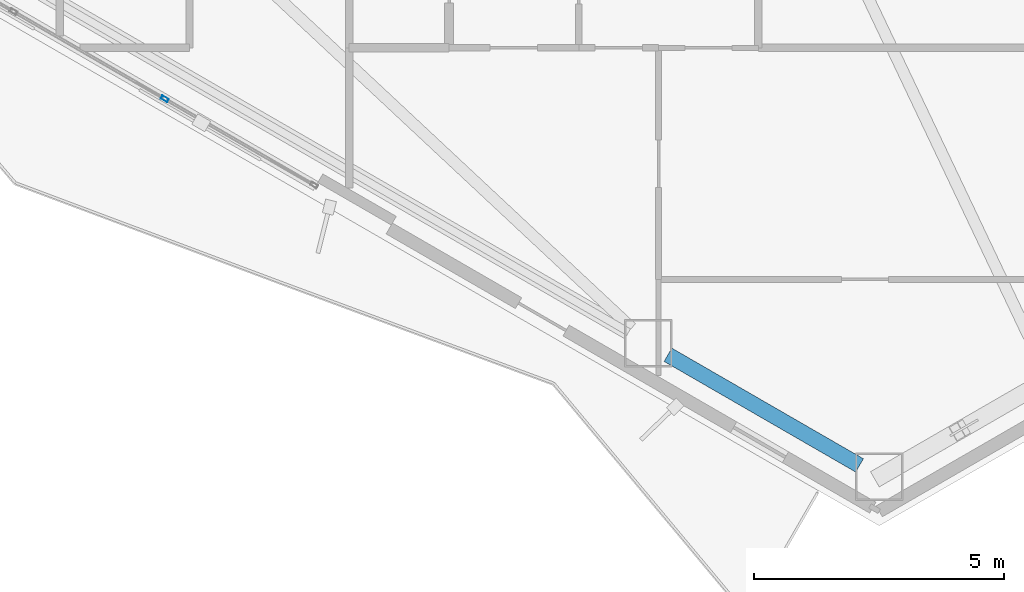
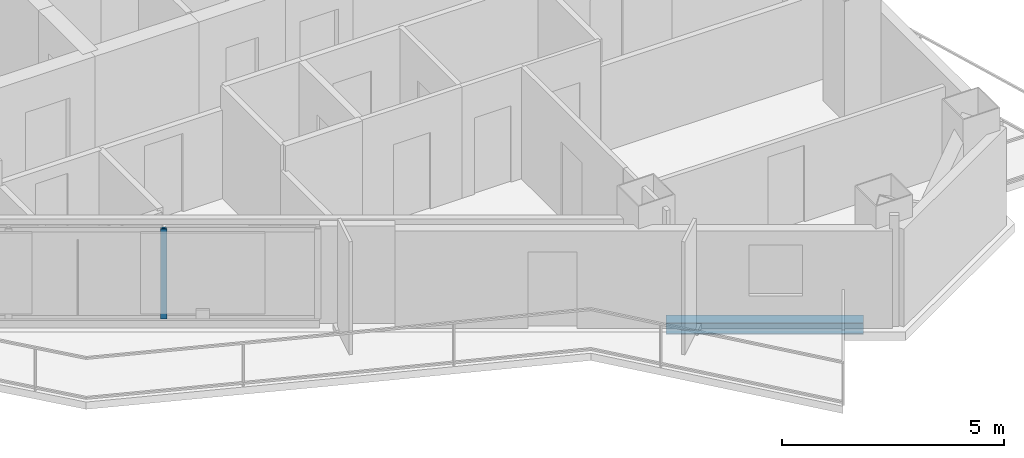
# One storey, part 3 of 18: 1 beam, 1 member, 1 element without a shape of its own.
"""IFC4 building model written with IfcOpenShell, lengths in metres."""

from ifc_helpers import new_model, si_unit, direction, frame, origin, origin_2d, place, context, subcontext, project, spatial, hollow_rectangle, i_section, extrude, material, layer, layer_set, material_profile, profile_set, type_object, element, aggregate, save


model = new_model("IFC4")

# Units and contexts
model_context = context("Model", 3, precision=1e-05, world=origin(), true_north=direction((0.0, 1.0)))
body_context = subcontext(model_context, "Body", "Model", "MODEL_VIEW")
ifc_project = project(units=[si_unit("LENGTHUNIT", "METRE"), si_unit("AREAUNIT", "SQUARE_METRE"), si_unit("VOLUMEUNIT", "CUBIC_METRE"), si_unit("PLANEANGLEUNIT", "RADIAN"), si_unit("MASSUNIT", "GRAM", prefix="KILO")], contexts=[model_context])

# Site, building, storey
site_placement = place(None, origin())
site = spatial("IfcSite", under=ifc_project, at=site_placement, CompositionType="ELEMENT")
building_placement = place(site_placement, origin())
building = spatial("IfcBuilding", under=site, at=building_placement, Name="Mersakhor Tower and Convention Hall", CompositionType="ELEMENT")
storey_placement = place(building_placement, frame((0.0, 0.0, 134.39990234375)))
storey = spatial("IfcBuildingStorey", under=building, at=storey_placement, Name="L37", CompositionType="ELEMENT", Elevation=134.39990234375)

# Beam
ifc_material_1 = material(Name="Steel S355", Category="steel")
ifc_material_profile_1 = material_profile(ifc_material_1, i_section(OverallWidth=0.30908203125, OverallDepth=0.320556640625, WebThickness=0.013916015625, FlangeThickness=0.021728515625, at=origin_2d()), Name="UC 305x305x137")
ifc_profile_set_1 = profile_set([ifc_material_profile_1], Name="Steel S355")
beam_type = type_object("IfcBeamType", Name="BM-SPD-UC305", PredefinedType="SPANDREL", material=ifc_profile_set_1)
beam_placement = place(storey_placement, frame((37.826416015625, 7.082763671875, -0.400146484375), z_axis=(-0.866038875684, 0.49997666526, 0.0), x_axis=(-0.49997666526, -0.866038875684, 0.0)))
element("IfcBeam", 1, at=beam_placement, inside=storey, type_object=beam_type, Name="L37 Perimeter Spandrel Beam SPB-09", PredefinedType="SPANDREL", context=body_context, shape_type="SweptSolid", body=[
    extrude(i_section(OverallWidth=0.30908203125, OverallDepth=0.320556640625, WebThickness=0.013916015625, FlangeThickness=0.021728515625, at=origin_2d()), origin(), (0.0, 0.0, 1.0), 4.433837890625),
])

# Curtain wall, member
ifc_material_2 = material(Name="Dark solar low-E aluminium curtain wall", Category="aluminium")
ifc_layer = layer(ifc_material_2, 0.169921875)
ifc_layer_set = layer_set([ifc_layer], Name="Dark solar low-E aluminium curtain wall")
curtain_wall_type = type_object("IfcCurtainWallType", Name="CW-SYS-02", PredefinedType="USERDEFINED", material=ifc_layer_set)
curtain_wall_placement = place(storey_placement, origin())
curtain_wall = element("IfcCurtainWall", 2, at=curtain_wall_placement, inside=storey, type_object=curtain_wall_type, Name="L37 Dark-Glass Curtain Wall F3-B2", ObjectType="CURTAIN WALL", PredefinedType="USERDEFINED")
ifc_material_3 = material(Name="Anodised aluminium EN AW-6063 T6", Category="aluminium")
ifc_material_profile_2 = material_profile(ifc_material_3, hollow_rectangle(XDim=0.074951171875, YDim=0.14990234375, WallThickness=0.00634765625, at=origin_2d()), Name="RHS 150x75x6.3")
ifc_profile_set_2 = profile_set([ifc_material_profile_2], Name="Anodised aluminium EN AW-6063 T6")
member_type = type_object("IfcMemberType", Name="CWM-150x75", PredefinedType="MULLION", material=ifc_profile_set_2)
member_placement = place(storey_placement, frame((23.904052734375, 14.427978515625, 0.2001953125), z_axis=(0.0, 0.0, 1.0), x_axis=(-0.499990468363, -0.866030906807, 0.0)))
member = element("IfcMember", 3, at=member_placement, type_object=member_type, Name="CW-02 mullion 2", PredefinedType="MULLION", context=body_context, shape_type="SweptSolid", body=[
    extrude(hollow_rectangle(XDim=0.074951171875, YDim=0.14990234375, WallThickness=0.00634765625, at=origin_2d()), origin(), (0.0, 0.0, 1.0), 2.47998046875),
])
aggregate(curtain_wall, [member])

save(model, "model.ifc")
